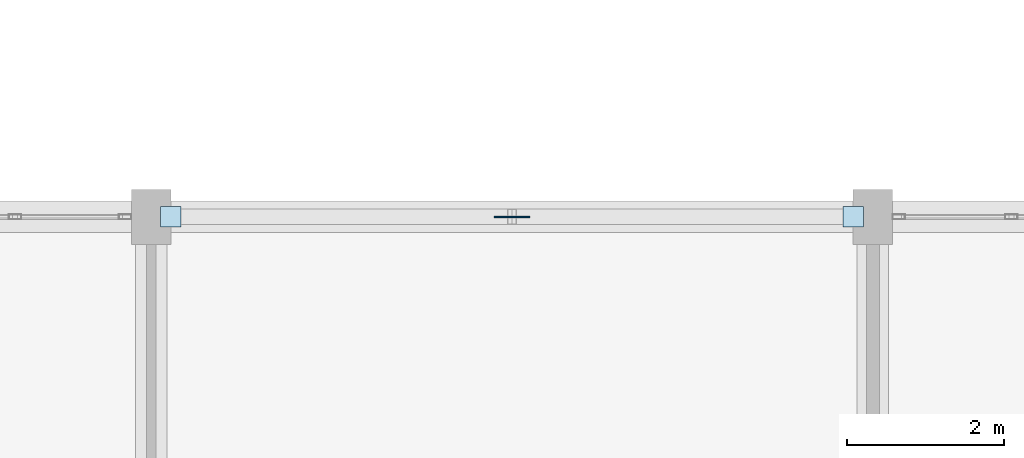
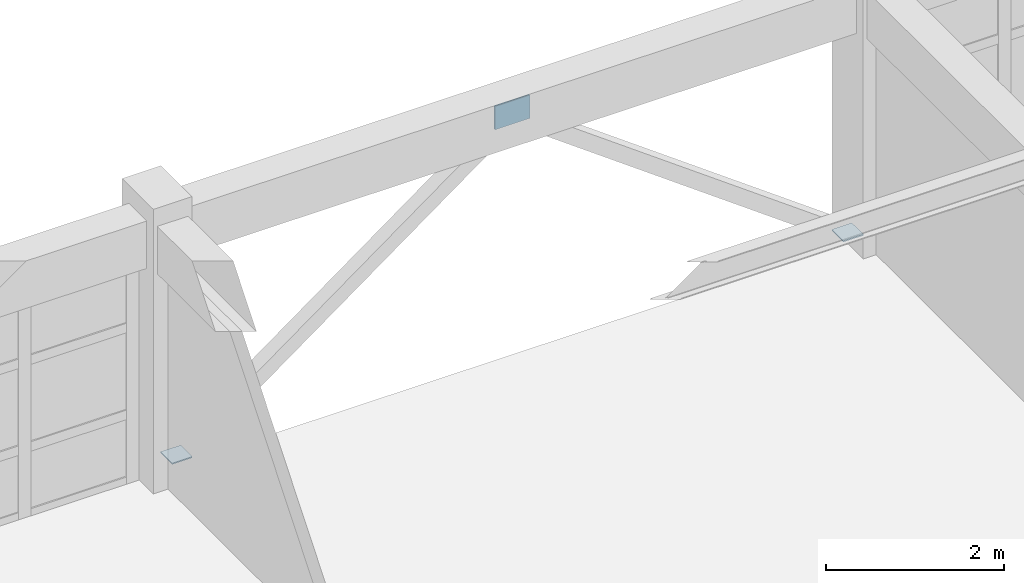
# One storey, part 83 of 150: 3 plates.
"""IFC4 building model written with IfcOpenShell, lengths in metres."""

from ifc_helpers import new_model, si_unit, direction, frame, origin, origin_2d, place, context, subcontext, project, spatial, rectangle, extrude, material, layer, layer_set, type_object, element, save


model = new_model("IFC4")

# Units and contexts
model_context = context("Model", 3, precision=1e-05, world=origin(), true_north=direction((0.0, 1.0)))
body_context = subcontext(model_context, "Body", "Model", "MODEL_VIEW")
ifc_project = project(units=[si_unit("LENGTHUNIT", "METRE"), si_unit("AREAUNIT", "SQUARE_METRE"), si_unit("VOLUMEUNIT", "CUBIC_METRE"), si_unit("PLANEANGLEUNIT", "RADIAN"), si_unit("MASSUNIT", "GRAM", prefix="KILO")], contexts=[model_context])

# Site, building, storey
site_placement = place(None, origin())
site = spatial("IfcSite", under=ifc_project, at=site_placement, CompositionType="ELEMENT")
building_placement = place(site_placement, origin())
building = spatial("IfcBuilding", under=site, at=building_placement, Name="Kestramere Prow Commons", CompositionType="ELEMENT")
storey_placement = place(building_placement, frame((0.0, 0.0, 4.5)))
storey = spatial("IfcBuildingStorey", under=building, at=storey_placement, Name="L01", CompositionType="ELEMENT", Elevation=4.5)

# Plates
ifc_material = material(Name="Steel S355JR", Category="steel")
ifc_layer_1 = layer(ifc_material, 0.01611328125)
ifc_layer_set_1 = layer_set([ifc_layer_1], Name="Steel S355JR")
plate_type_1 = type_object("IfcPlateType", Name="PL-ENDCAP-16 (EX)", PredefinedType="SHEET", material=ifc_layer_set_1)
for number, where, z_axis, x_axis, name in (
    (1, (85.25, 24.0, 0.141845703125), (0.0, 0.0, 1.0), (1.0, 0.0, 0.0), "Market Brace Cap Plate L01-L"),
    (2, (93.949951171875, 24.0, 0.141845703125), (0.0, 0.0, 1.0), (1.0, 0.0, 0.0), "Market Brace Cap Plate L01-R"),
):
    element("IfcPlate", number, at=place(storey_placement, frame(where, z_axis=z_axis, x_axis=x_axis)), inside=storey, type_object=plate_type_1, Name=name, PredefinedType="SHEET", context=body_context, shape_type="SweptSolid", body=[
        extrude(rectangle(XDim=0.260009765625, YDim=0.260009765625, at=origin_2d()), origin(), (0.0, 0.0, 1.0), 0.01611328125),
    ])
ifc_layer_2 = layer(ifc_material, 0.02001953125)
ifc_layer_set_2 = layer_set([ifc_layer_2], Name="Steel S355JR")
plate_type_2 = type_object("IfcPlateType", Name="PL-GUSSET-20 (EX)", PredefinedType="SHEET", material=ifc_layer_set_2)
plate_placement = place(storey_placement, frame((89.60009765625, 24.0, 3.1650390625), z_axis=(0.0, 0.0, 1.0), x_axis=(1.0, 0.0, 0.0)))
element("IfcPlate", 3, at=plate_placement, inside=storey, type_object=plate_type_2, Name="Market L01 Gusset Plate", PredefinedType="SHEET", context=body_context, shape_type="SweptSolid", body=[
    extrude(rectangle(XDim=0.449951171875, YDim=0.02001953125, at=origin_2d()), origin(), (0.0, 0.0, 1.0), 0.320068359375),
])

save(model, "model.ifc")
